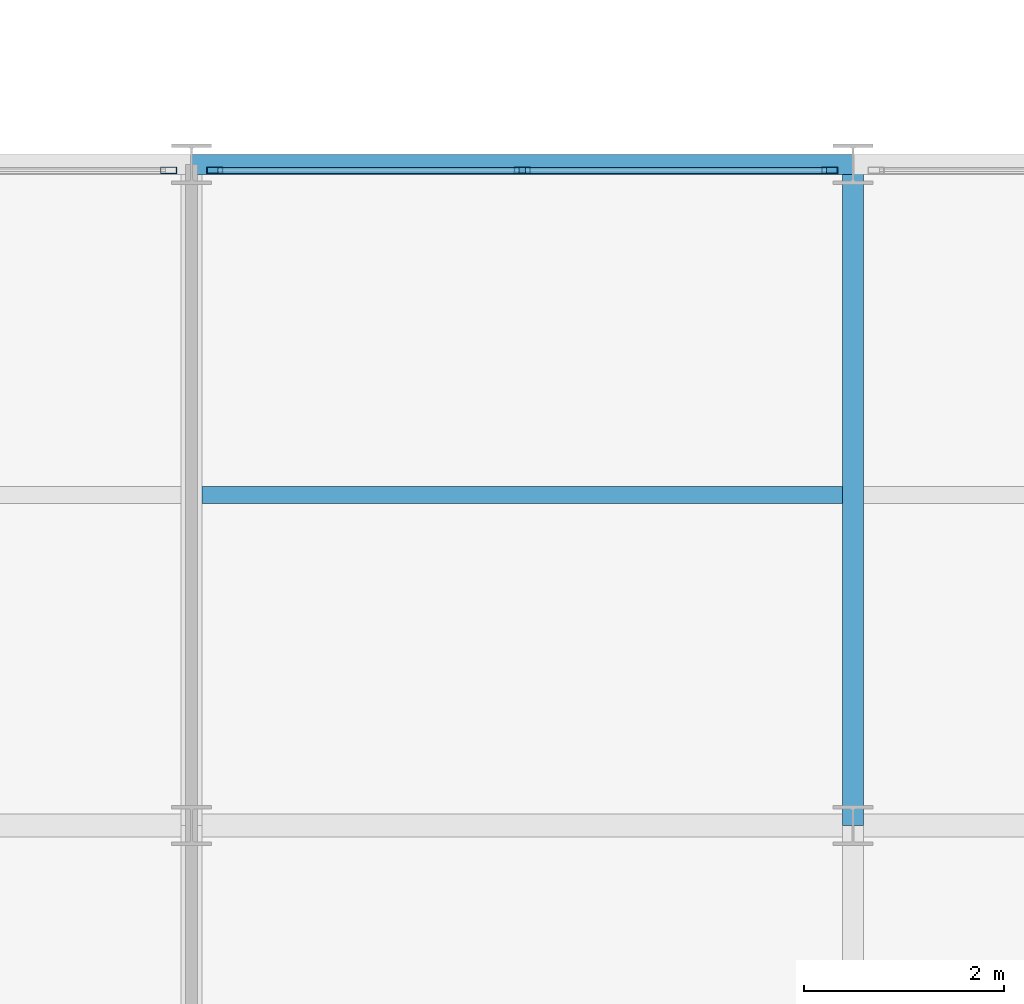
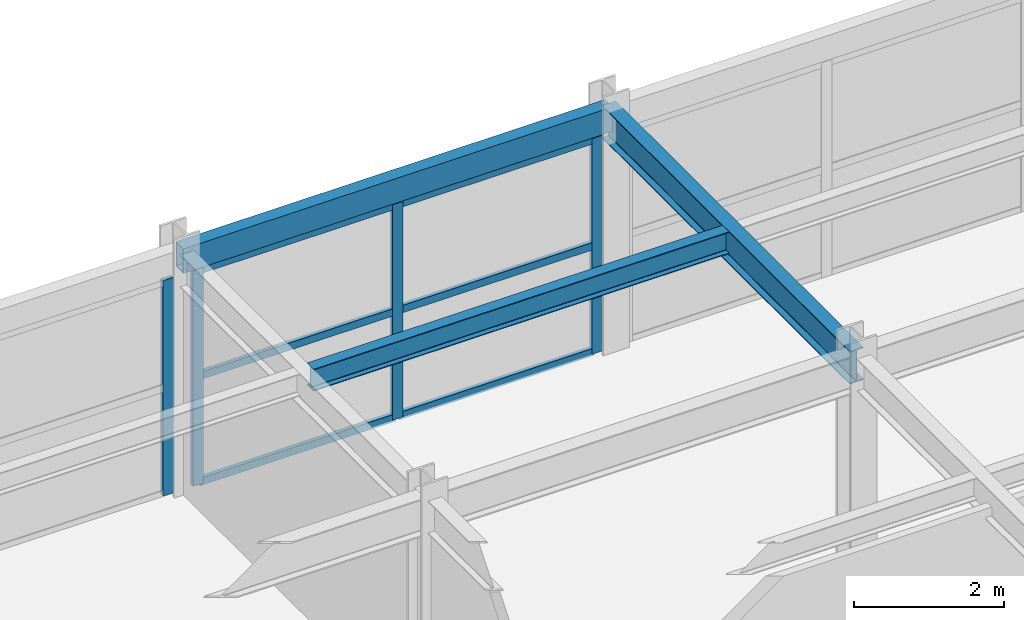
# One storey, part 104 of 157: 10 members, 3 beams, 2 elements without a shape of their own.
"""IFC4 building model written with IfcOpenShell, lengths in metres."""

from ifc_helpers import new_model, si_unit, direction, frame, origin, origin_2d, place, context, subcontext, project, spatial, hollow_rectangle, i_section, extrude, material, material_profile, profile_set, type_object, element, aggregate, save


model = new_model("IFC4")

# Units and contexts
model_context = context("Model", 3, precision=1e-05, world=origin(), true_north=direction((0.0, 1.0)))
body_context = subcontext(model_context, "Body", "Model", "MODEL_VIEW")
ifc_project = project(units=[si_unit("LENGTHUNIT", "METRE"), si_unit("AREAUNIT", "SQUARE_METRE"), si_unit("VOLUMEUNIT", "CUBIC_METRE"), si_unit("PLANEANGLEUNIT", "RADIAN"), si_unit("MASSUNIT", "GRAM", prefix="KILO")], contexts=[model_context])

# Site, building, storey
site_placement = place(None, origin())
site = spatial("IfcSite", under=ifc_project, at=site_placement, CompositionType="ELEMENT")
building_placement = place(site_placement, origin())
building = spatial("IfcBuilding", under=site, at=building_placement, Name="Karori Crest Natural Sciences Institute", CompositionType="ELEMENT")
storey_placement = place(building_placement, frame((0.0, 0.0, 13.300048828125)))
storey = spatial("IfcBuildingStorey", under=building, at=storey_placement, Name="L03", CompositionType="ELEMENT", Elevation=13.300048828125)

# Beams
ifc_material_1 = material(Name="Structural steel AS/NZS 3679.1 Grade 350", Category="steel")
ifc_material_profile_1 = material_profile(ifc_material_1, i_section(OverallWidth=0.208984375, OverallDepth=0.532958984375, WebThickness=0.01025390625, FlangeThickness=0.015625, FilletRadius=0.013916015625, at=origin_2d()), Name="530UB92.4")
ifc_profile_set_1 = profile_set([ifc_material_profile_1], Name="Structural steel AS/NZS 3679.1 Grade 350")
beam_type_1 = type_object("IfcBeamType", Name="BT-05", PredefinedType="BEAM", material=ifc_profile_set_1)
beam_1_placement = place(storey_placement, frame((136.60009765625, 14.0, 3.653564453125), z_axis=(0.0, 1.0, 0.0), x_axis=(-1.0, 0.0, 0.0)))
element("IfcBeam", 1, at=beam_1_placement, inside=storey, type_object=beam_type_1, Name="Beam B-2332", PredefinedType="BEAM", context=body_context, shape_type="SweptSolid", body=[
    extrude(i_section(OverallWidth=0.208984375, OverallDepth=0.532958984375, WebThickness=0.01025390625, FlangeThickness=0.015625, FilletRadius=0.013916015625, at=origin_2d()), origin(), (0.0, 0.0, 1.0), 6.60009765625),
])
ifc_material_profile_2 = material_profile(ifc_material_1, i_section(OverallWidth=0.172119140625, OverallDepth=0.35888671875, WebThickness=0.008056640625, FlangeThickness=0.012939453125, FilletRadius=0.010986328125, at=origin_2d()), Name="360UB56.7")
ifc_profile_set_2 = profile_set([ifc_material_profile_2], Name="Structural steel AS/NZS 3679.1 Grade 350")
beam_type_2 = type_object("IfcBeamType", Name="BT-08", PredefinedType="BEAM", material=ifc_profile_set_2)
beam_2_placement = place(storey_placement, frame((130.1044921875, 17.300048828125, 3.740478515625), z_axis=(1.0, 0.0, 0.0), x_axis=(0.0, 1.0, 0.0)))
element("IfcBeam", 2, at=beam_2_placement, inside=storey, type_object=beam_type_2, Name="Beam B-2355", PredefinedType="BEAM", context=body_context, shape_type="SweptSolid", body=[
    extrude(i_section(OverallWidth=0.172119140625, OverallDepth=0.35888671875, WebThickness=0.008056640625, FlangeThickness=0.012939453125, FilletRadius=0.010986328125, at=origin_2d()), origin(), (0.0, 0.0, 1.0), 6.39111328125),
])
ifc_material_2 = material(Name="Hollow structural steel AS/NZS 1163 Grade C350", Category="steel")
ifc_material_profile_3 = material_profile(ifc_material_2, hollow_rectangle(XDim=0.199951171875, YDim=0.39990234375, WallThickness=0.012451171875, at=origin_2d()), Name="RHS400x200x12.5")
ifc_profile_set_3 = profile_set([ifc_material_profile_3], Name="Hollow structural steel AS/NZS 1163 Grade C350")
beam_type_3 = type_object("IfcBeamType", Name="BT-14", PredefinedType="SPANDREL", material=ifc_profile_set_3)
beam_3_placement = place(storey_placement, frame((130.0, 20.60009765625, 3.719970703125), z_axis=(1.0, 0.0, 0.0), x_axis=(0.0, 1.0, 0.0)))
element("IfcBeam", 3, at=beam_3_placement, inside=storey, type_object=beam_type_3, Name="Beam B-2310", PredefinedType="SPANDREL", context=body_context, shape_type="SweptSolid", body=[
    extrude(hollow_rectangle(XDim=0.199951171875, YDim=0.39990234375, WallThickness=0.012451171875, at=origin_2d()), origin(), (0.0, 0.0, 1.0), 6.60009765625),
])

# Curtain wall, member
ifc_material_3 = material(Name="Anodised architectural aluminium 6063-T6", Category="aluminium")
curtain_wall_type = type_object("IfcCurtainWallType", Name="CWT-20", PredefinedType="NOTDEFINED", material=ifc_material_3)
curtain_wall_1_placement = place(storey_placement, origin())
curtain_wall_1 = element("IfcCurtainWall", 4, at=curtain_wall_1_placement, inside=storey, type_object=curtain_wall_type, Name="Curtain wall CW-0325", PredefinedType="NOTDEFINED")
ifc_material_profile_4 = material_profile(ifc_material_3, hollow_rectangle(XDim=0.06494140625, YDim=0.159912109375, WallThickness=0.00390625, at=origin_2d()), Name="CWM160x65x4")
ifc_profile_set_4 = profile_set([ifc_material_profile_4], Name="Anodised architectural aluminium 6063-T6")
member_type_1 = type_object("IfcMemberType", Name="CWM-01", PredefinedType="MULLION", material=ifc_profile_set_4)
member_1_placement = place(storey_placement, frame((129.76953125, 20.5400390625, 0.0), z_axis=(0.0, 0.0, 1.0), x_axis=(0.0, 1.0, 0.0)))
member_1 = element("IfcMember", 5, at=member_1_placement, type_object=member_type_1, Name="CW-0325 mullion 3", PredefinedType="MULLION", context=body_context, shape_type="SweptSolid", body=[
    extrude(hollow_rectangle(XDim=0.06494140625, YDim=0.159912109375, WallThickness=0.00390625, at=origin_2d()), origin(), (0.0, 0.0, 1.0), 3.5048828125),
])
aggregate(curtain_wall_1, [member_1])

# Curtain wall, members
curtain_wall_2_placement = place(storey_placement, origin())
curtain_wall_2 = element("IfcCurtainWall", 6, at=curtain_wall_2_placement, inside=storey, type_object=curtain_wall_type, Name="Curtain wall CW-0326", PredefinedType="NOTDEFINED")
member_2_placement = place(storey_placement, frame((130.23046875, 20.5400390625, 0.0), z_axis=(0.0, 0.0, 1.0), x_axis=(0.0, 1.0, 0.0)))
member_2 = element("IfcMember", 7, at=member_2_placement, type_object=member_type_1, Name="CW-0326 mullion 1", PredefinedType="MULLION", context=body_context, shape_type="SweptSolid", body=[
    extrude(hollow_rectangle(XDim=0.06494140625, YDim=0.159912109375, WallThickness=0.00390625, at=origin_2d()), origin(), (0.0, 0.0, 1.0), 3.5048828125),
])
member_3_placement = place(storey_placement, frame((133.300048828125, 20.5400390625, 0.0), z_axis=(0.0, 0.0, 1.0), x_axis=(0.0, 1.0, 0.0)))
member_3 = element("IfcMember", 8, at=member_3_placement, type_object=member_type_1, Name="CW-0326 mullion 2", PredefinedType="MULLION", context=body_context, shape_type="SweptSolid", body=[
    extrude(hollow_rectangle(XDim=0.06494140625, YDim=0.159912109375, WallThickness=0.00390625, at=origin_2d()), origin(), (0.0, 0.0, 1.0), 3.5048828125),
])
member_4_placement = place(storey_placement, frame((136.369384765625, 20.5400390625, 0.0), z_axis=(0.0, 0.0, 1.0), x_axis=(0.0, 1.0, 0.0)))
member_4 = element("IfcMember", 9, at=member_4_placement, type_object=member_type_1, Name="CW-0326 mullion 3", PredefinedType="MULLION", context=body_context, shape_type="SweptSolid", body=[
    extrude(hollow_rectangle(XDim=0.06494140625, YDim=0.159912109375, WallThickness=0.00390625, at=origin_2d()), origin(), (0.0, 0.0, 1.0), 3.5048828125),
])
ifc_material_profile_5 = material_profile(ifc_material_3, hollow_rectangle(XDim=0.06005859375, YDim=0.1201171875, WallThickness=0.00390625, at=origin_2d()), Name="CWT120x60x4")
ifc_profile_set_5 = profile_set([ifc_material_profile_5], Name="Anodised architectural aluminium 6063-T6")
member_type_2 = type_object("IfcMemberType", Name="CWT-TR1", PredefinedType="USERDEFINED", material=ifc_profile_set_5)
member_5_placement = place(storey_placement, frame((130.262939453125, 20.5400390625, 0.030029296875), z_axis=(1.0, 0.0, 0.0), x_axis=(0.0, 1.0, 0.0)))
member_5 = element("IfcMember", 10, at=member_5_placement, type_object=member_type_2, Name="CW-0326 transom 1.1", ObjectType="TRANSOM", PredefinedType="USERDEFINED", context=body_context, shape_type="SweptSolid", body=[
    extrude(hollow_rectangle(XDim=0.06005859375, YDim=0.1201171875, WallThickness=0.00390625, at=origin_2d()), origin(), (0.0, 0.0, 1.0), 3.004638671875),
])
member_6_placement = place(storey_placement, frame((130.262939453125, 20.5400390625, 1.75244140625), z_axis=(1.0, 0.0, 0.0), x_axis=(0.0, 1.0, 0.0)))
member_6 = element("IfcMember", 11, at=member_6_placement, type_object=member_type_2, Name="CW-0326 transom 1.2", ObjectType="TRANSOM", PredefinedType="USERDEFINED", context=body_context, shape_type="SweptSolid", body=[
    extrude(hollow_rectangle(XDim=0.06005859375, YDim=0.1201171875, WallThickness=0.00390625, at=origin_2d()), origin(), (0.0, 0.0, 1.0), 3.004638671875),
])
member_7_placement = place(storey_placement, frame((130.262939453125, 20.5400390625, 3.474853515625), z_axis=(1.0, 0.0, 0.0), x_axis=(0.0, 1.0, 0.0)))
member_7 = element("IfcMember", 12, at=member_7_placement, type_object=member_type_2, Name="CW-0326 transom 1.3", ObjectType="TRANSOM", PredefinedType="USERDEFINED", context=body_context, shape_type="SweptSolid", body=[
    extrude(hollow_rectangle(XDim=0.06005859375, YDim=0.1201171875, WallThickness=0.00390625, at=origin_2d()), origin(), (0.0, 0.0, 1.0), 3.004638671875),
])
member_8_placement = place(storey_placement, frame((133.33251953125, 20.5400390625, 0.030029296875), z_axis=(1.0, 0.0, 0.0), x_axis=(0.0, 1.0, 0.0)))
member_8 = element("IfcMember", 13, at=member_8_placement, type_object=member_type_2, Name="CW-0326 transom 2.1", ObjectType="TRANSOM", PredefinedType="USERDEFINED", context=body_context, shape_type="SweptSolid", body=[
    extrude(hollow_rectangle(XDim=0.06005859375, YDim=0.1201171875, WallThickness=0.00390625, at=origin_2d()), origin(), (0.0, 0.0, 1.0), 3.00439453125),
])
member_9_placement = place(storey_placement, frame((133.33251953125, 20.5400390625, 1.75244140625), z_axis=(1.0, 0.0, 0.0), x_axis=(0.0, 1.0, 0.0)))
member_9 = element("IfcMember", 14, at=member_9_placement, type_object=member_type_2, Name="CW-0326 transom 2.2", ObjectType="TRANSOM", PredefinedType="USERDEFINED", context=body_context, shape_type="SweptSolid", body=[
    extrude(hollow_rectangle(XDim=0.06005859375, YDim=0.1201171875, WallThickness=0.00390625, at=origin_2d()), origin(), (0.0, 0.0, 1.0), 3.00439453125),
])
member_10_placement = place(storey_placement, frame((133.33251953125, 20.5400390625, 3.474853515625), z_axis=(1.0, 0.0, 0.0), x_axis=(0.0, 1.0, 0.0)))
member_10 = element("IfcMember", 15, at=member_10_placement, type_object=member_type_2, Name="CW-0326 transom 2.3", ObjectType="TRANSOM", PredefinedType="USERDEFINED", context=body_context, shape_type="SweptSolid", body=[
    extrude(hollow_rectangle(XDim=0.06005859375, YDim=0.1201171875, WallThickness=0.00390625, at=origin_2d()), origin(), (0.0, 0.0, 1.0), 3.00439453125),
])
aggregate(curtain_wall_2, [member_2, member_3, member_4, member_5, member_6, member_7, member_8, member_9, member_10])

save(model, "model.ifc")
